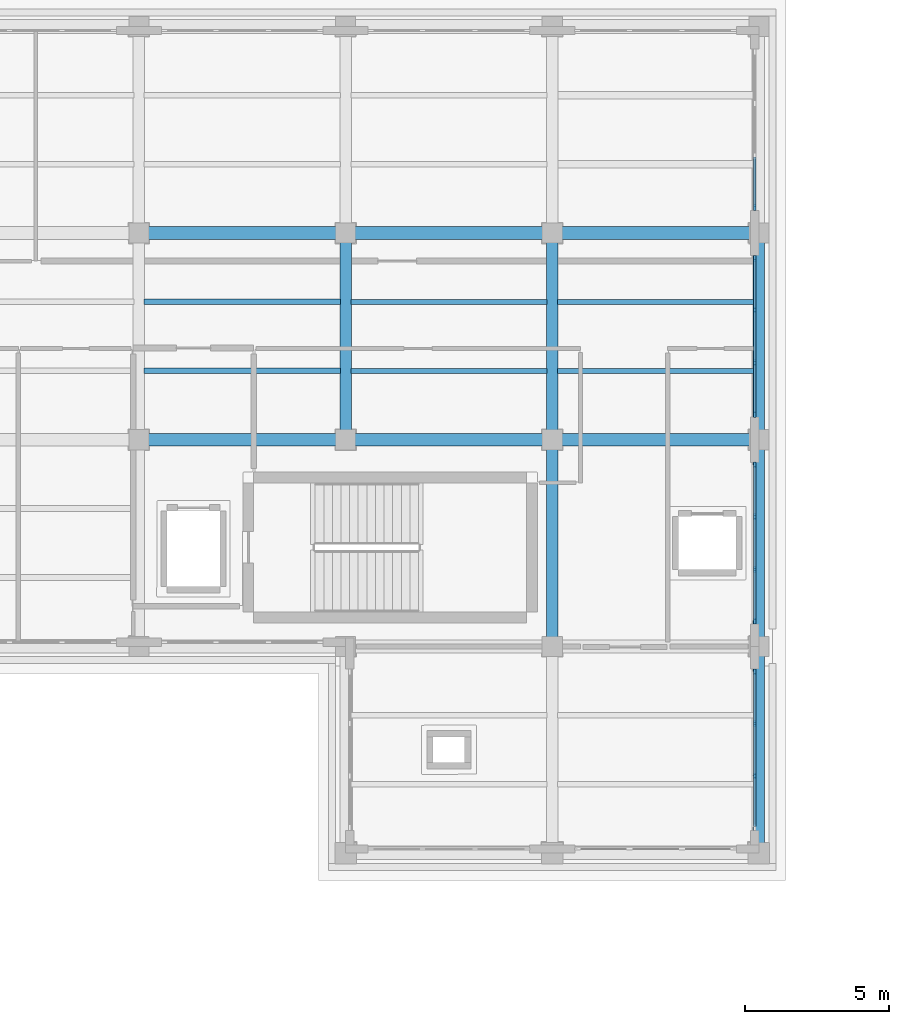
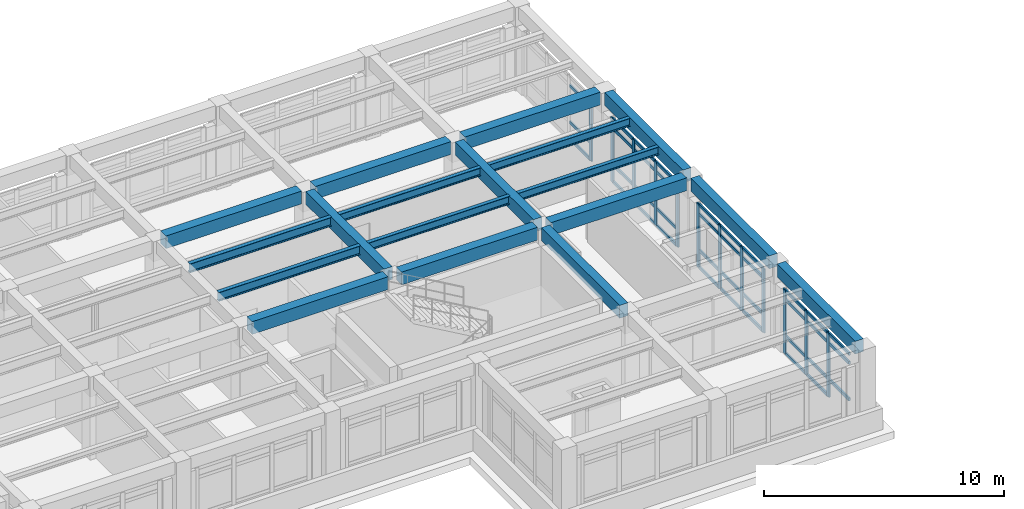
# One storey, part 27 of 64: 50 members, 18 beams, 4 elements without a shape of their own.
"""IFC4 building model written with IfcOpenShell, lengths in metres."""

from ifc_helpers import new_model, si_unit, direction, frame, origin, origin_2d, place, context, subcontext, project, spatial, rectangle, i_section, extrude, material, layer, layer_set, material_profile, profile_set, type_object, element, aggregate, save


model = new_model("IFC4")

# Units and contexts
model_context = context("Model", 3, precision=1e-05, world=origin(), true_north=direction((0.0, 1.0)))
body_context = subcontext(model_context, "Body", "Model", "MODEL_VIEW")
ifc_project = project(units=[si_unit("LENGTHUNIT", "METRE"), si_unit("AREAUNIT", "SQUARE_METRE"), si_unit("VOLUMEUNIT", "CUBIC_METRE"), si_unit("PLANEANGLEUNIT", "RADIAN"), si_unit("MASSUNIT", "GRAM", prefix="KILO")], contexts=[model_context])

# Site, building, storey
site_placement = place(None, origin())
site = spatial("IfcSite", under=ifc_project, at=site_placement, CompositionType="ELEMENT")
building_placement = place(site_placement, origin())
building = spatial("IfcBuilding", under=site, at=building_placement, Name="Solenvale Faculty of Natural Sciences", CompositionType="ELEMENT")
storey_placement = place(building_placement, frame((0.0, 0.0, 18.0)))
storey = spatial("IfcBuildingStorey", under=building, at=storey_placement, Name="L04", CompositionType="ELEMENT", Elevation=18.0)

# Beams
ifc_material_1 = material(Name="Concrete 40 MPa", Category="concrete")
ifc_material_profile_1 = material_profile(ifc_material_1, rectangle(XDim=0.39990234375, YDim=0.64990234375, at=origin_2d()), Name="RC-BM-400x650")
ifc_profile_set_1 = profile_set([ifc_material_profile_1], Name="Concrete 40 MPa")
beam_type_1 = type_object("IfcBeamType", Name="BM-RC-400x650", PredefinedType="BEAM", material=ifc_profile_set_1)
for number, where, z_axis, x_axis, name in (
    (1, (136.800048828125, 101.1298828125, 3.89501953125), (0.0, 1.0, 0.0), (-1.0, 0.0, 0.0), "L04 Y-Girder X136.8 (100.8..108.0)"),
    (2, (144.0, 93.929931640625, 3.89501953125), (0.0, 1.0, 0.0), (-1.0, 0.0, 0.0), "L04 Y-Girder X144.0 (93.6..100.8)"),
    (3, (144.0, 101.1298828125, 3.89501953125), (0.0, 1.0, 0.0), (-1.0, 0.0, 0.0), "L04 Y-Girder X144.0 (100.8..108.0)"),
):
    element("IfcBeam", number, at=place(storey_placement, frame(where, z_axis=z_axis, x_axis=x_axis)), inside=storey, type_object=beam_type_1, Name=name, PredefinedType="BEAM", context=body_context, shape_type="SweptSolid", body=[
        extrude(rectangle(XDim=0.39990234375, YDim=0.64990234375, at=origin_2d()), origin(), (0.0, 0.0, 1.0), 6.5400390625),
    ])
beam_placement = place(storey_placement, frame((151.199951171875, 86.7548828125, 3.89501953125), z_axis=(0.0, 1.0, 0.0), x_axis=(-1.0, 0.0, 0.0)))
element("IfcBeam", 4, at=beam_placement, inside=storey, type_object=beam_type_1, Name="L04 Y-Girder X151.2 (86.4..93.6)", PredefinedType="BEAM", context=body_context, shape_type="SweptSolid", body=[
    extrude(rectangle(XDim=0.39990234375, YDim=0.64990234375, at=origin_2d()), origin(), (0.0, 0.0, 1.0), 6.51513671875),
])
for number, where, z_axis, x_axis, name in (
    (5, (151.199951171875, 93.929931640625, 3.89501953125), (0.0, 1.0, 0.0), (-1.0, 0.0, 0.0), "L04 Y-Girder X151.2 (93.6..100.8)"),
    (6, (151.199951171875, 101.1298828125, 3.89501953125), (0.0, 1.0, 0.0), (-1.0, 0.0, 0.0), "L04 Y-Girder X151.2 (100.8..108.0)"),
):
    element("IfcBeam", number, at=place(storey_placement, frame(where, z_axis=z_axis, x_axis=x_axis)), inside=storey, type_object=beam_type_1, Name=name, PredefinedType="BEAM", context=body_context, shape_type="SweptSolid", body=[
        extrude(rectangle(XDim=0.39990234375, YDim=0.64990234375, at=origin_2d()), origin(), (0.0, 0.0, 1.0), 6.5400390625),
    ])
ifc_material_profile_2 = material_profile(ifc_material_1, rectangle(XDim=0.449951171875, YDim=0.64990234375, at=origin_2d()), Name="RC-BM-450x650")
ifc_profile_set_2 = profile_set([ifc_material_profile_2], Name="Concrete 40 MPa")
beam_type_2 = type_object("IfcBeamType", Name="BM-RC-450x650", PredefinedType="BEAM", material=ifc_profile_set_2)
for number, where, z_axis, x_axis, name in (
    (7, (129.929931640625, 100.800048828125, 3.89501953125), (1.0, 0.0, 0.0), (0.0, 1.0, 0.0), "L04 X-Girder Y100.8 (129.6..136.8)"),
    (8, (137.1298828125, 100.800048828125, 3.89501953125), (1.0, 0.0, 0.0), (0.0, 1.0, 0.0), "L04 X-Girder Y100.8 (136.8..144.0)"),
    (9, (144.330078125, 100.800048828125, 3.89501953125), (1.0, 0.0, 0.0), (0.0, 1.0, 0.0), "L04 X-Girder Y100.8 (144.0..151.2)"),
    (10, (129.929931640625, 108.0, 3.89501953125), (1.0, 0.0, 0.0), (0.0, 1.0, 0.0), "L04 X-Girder Y108.0 (129.6..136.8)"),
    (11, (137.1298828125, 108.0, 3.89501953125), (1.0, 0.0, 0.0), (0.0, 1.0, 0.0), "L04 X-Girder Y108.0 (136.8..144.0)"),
    (12, (144.330078125, 108.0, 3.89501953125), (1.0, 0.0, 0.0), (0.0, 1.0, 0.0), "L04 X-Girder Y108.0 (144.0..151.2)"),
):
    element("IfcBeam", number, at=place(storey_placement, frame(where, z_axis=z_axis, x_axis=x_axis)), inside=storey, type_object=beam_type_2, Name=name, PredefinedType="BEAM", context=body_context, shape_type="SweptSolid", body=[
        extrude(rectangle(XDim=0.449951171875, YDim=0.64990234375, at=origin_2d()), origin(), (0.0, 0.0, 1.0), 6.5400390625),
    ])
ifc_material_2 = material(Name="Steel S355", Category="steel")
ifc_material_profile_3 = material_profile(ifc_material_2, i_section(OverallWidth=0.178955078125, OverallDepth=0.409912109375, WebThickness=0.0087890625, FlangeThickness=0.014404296875, FilletRadius=0.01611328125, at=origin_2d()), Name="W410x67")
ifc_profile_set_3 = profile_set([ifc_material_profile_3], Name="Steel S355")
beam_type_3 = type_object("IfcBeamType", Name="BM-STL-W410x67", PredefinedType="JOIST", material=ifc_profile_set_3)
for number, where, z_axis, x_axis, name in (
    (13, (144.179931640625, 103.199951171875, 4.014892578125), (1.0, 0.0, 0.0), (0.0, 1.0, 0.0), "L04 Composite Floor Joist (21,15).1"),
    (14, (144.179931640625, 105.60009765625, 4.014892578125), (1.0, 0.0, 0.0), (0.0, 1.0, 0.0), "L04 Composite Floor Joist (21,15).2"),
):
    element("IfcBeam", number, at=place(storey_placement, frame(where, z_axis=z_axis, x_axis=x_axis)), inside=storey, type_object=beam_type_3, Name=name, PredefinedType="JOIST", context=body_context, shape_type="SweptSolid", body=[
        extrude(i_section(OverallWidth=0.178955078125, OverallDepth=0.409912109375, WebThickness=0.0087890625, FlangeThickness=0.014404296875, FilletRadius=0.01611328125, at=origin_2d()), origin(), (0.0, 0.0, 1.0), 6.840087890625),
    ])
ifc_material_profile_4 = material_profile(ifc_material_2, i_section(OverallWidth=0.180908203125, OverallDepth=0.4169921875, WebThickness=0.010986328125, FlangeThickness=0.018310546875, FilletRadius=0.01611328125, at=origin_2d()), Name="W410x85")
ifc_profile_set_4 = profile_set([ifc_material_profile_4], Name="Steel S355")
beam_type_4 = type_object("IfcBeamType", Name="BM-STL-W410x85", PredefinedType="JOIST", material=ifc_profile_set_4)
for number, where, z_axis, x_axis, name in (
    (15, (136.97998046875, 103.199951171875, 4.011474609375), (1.0, 0.0, 0.0), (0.0, 1.0, 0.0), "L04 Composite Floor Joist (20,15).1"),
    (16, (136.97998046875, 105.60009765625, 4.011474609375), (1.0, 0.0, 0.0), (0.0, 1.0, 0.0), "L04 Composite Floor Joist (20,15).2"),
):
    element("IfcBeam", number, at=place(storey_placement, frame(where, z_axis=z_axis, x_axis=x_axis)), inside=storey, type_object=beam_type_4, Name=name, PredefinedType="JOIST", context=body_context, shape_type="SweptSolid", body=[
        extrude(i_section(OverallWidth=0.180908203125, OverallDepth=0.4169921875, WebThickness=0.010986328125, FlangeThickness=0.018310546875, FilletRadius=0.01611328125, at=origin_2d()), origin(), (0.0, 0.0, 1.0), 6.840087890625),
    ])
ifc_material_profile_5 = material_profile(ifc_material_2, i_section(OverallWidth=0.19091796875, OverallDepth=0.4599609375, WebThickness=0.010009765625, FlangeThickness=0.01611328125, FilletRadius=0.01806640625, at=origin_2d()), Name="W460x82")
ifc_profile_set_5 = profile_set([ifc_material_profile_5], Name="Steel S355")
beam_type_5 = type_object("IfcBeamType", Name="BM-STL-W460x82", PredefinedType="JOIST", material=ifc_profile_set_5)
for number, where, z_axis, x_axis, name in (
    (17, (129.780029296875, 103.199951171875, 3.989990234375), (1.0, 0.0, 0.0), (0.0, 1.0, 0.0), "L04 Composite Floor Joist (19,15).1"),
    (18, (129.780029296875, 105.60009765625, 3.989990234375), (1.0, 0.0, 0.0), (0.0, 1.0, 0.0), "L04 Composite Floor Joist (19,15).2"),
):
    element("IfcBeam", number, at=place(storey_placement, frame(where, z_axis=z_axis, x_axis=x_axis)), inside=storey, type_object=beam_type_5, Name=name, PredefinedType="JOIST", context=body_context, shape_type="SweptSolid", body=[
        extrude(i_section(OverallWidth=0.19091796875, OverallDepth=0.4599609375, WebThickness=0.010009765625, FlangeThickness=0.01611328125, FilletRadius=0.01806640625, at=origin_2d()), origin(), (0.0, 0.0, 1.0), 6.840087890625),
    ])

# Curtain wall, members
ifc_material_3 = material(Name="Anodised bronze aluminium", Category="aluminium")
ifc_layer = layer(ifc_material_3, 0.179931640625)
ifc_layer_set = layer_set([ifc_layer], Name="Anodised bronze aluminium")
curtain_wall_type = type_object("IfcCurtainWallType", Name="CW-TWR-MOD", PredefinedType="USERDEFINED", material=ifc_layer_set)
curtain_wall_1_placement = place(storey_placement, origin())
curtain_wall_1 = element("IfcCurtainWall", 19, at=curtain_wall_1_placement, inside=storey, type_object=curtain_wall_type, Name="L04 Curtain Wall CW-L04-P3-E2-B1", ObjectType="UNITISED CURTAIN WALL", PredefinedType="USERDEFINED")
ifc_material_profile_6 = material_profile(ifc_material_3, rectangle(XDim=0.074951171875, YDim=0.2099609375, at=origin_2d()), Name="ALU-MUL-75x210")
ifc_profile_set_6 = profile_set([ifc_material_profile_6], Name="Anodised bronze aluminium")
member_type_1 = type_object("IfcMemberType", Name="CWM-ALU-75x210", PredefinedType="MULLION", material=ifc_profile_set_6)
member_1_placement = place(storey_placement, frame((151.0576171875, 89.083251953125, 0.0), z_axis=(0.0, 0.0, 1.0), x_axis=(-1.0, 0.0, 0.0)))
member_1 = element("IfcMember", 20, at=member_1_placement, type_object=member_type_1, Name="CW-04 mullion 2", PredefinedType="MULLION", context=body_context, shape_type="SweptSolid", body=[
    extrude(rectangle(XDim=0.074951171875, YDim=0.2099609375, at=origin_2d()), origin(), (0.0, 0.0, 1.0), 3.260009765625),
])
member_2_placement = place(storey_placement, frame((151.0576171875, 90.916748046875, 0.0), z_axis=(0.0, 0.0, 1.0), x_axis=(-1.0, 0.0, 0.0)))
member_2 = element("IfcMember", 21, at=member_2_placement, type_object=member_type_1, Name="CW-04 mullion 3", PredefinedType="MULLION", context=body_context, shape_type="SweptSolid", body=[
    extrude(rectangle(XDim=0.074951171875, YDim=0.2099609375, at=origin_2d()), origin(), (0.0, 0.0, 1.0), 3.260009765625),
])
member_3_placement = place(storey_placement, frame((151.0576171875, 92.71240234375, 0.0), z_axis=(0.0, 0.0, 1.0), x_axis=(-1.0, 0.0, 0.0)))
member_3 = element("IfcMember", 22, at=member_3_placement, type_object=member_type_1, Name="CW-04 mullion 4", PredefinedType="MULLION", context=body_context, shape_type="SweptSolid", body=[
    extrude(rectangle(XDim=0.074951171875, YDim=0.2099609375, at=origin_2d()), origin(), (0.0, 0.0, 1.0), 3.260009765625),
])

curtain_wall_2_placement = place(storey_placement, origin())
curtain_wall_2 = element("IfcCurtainWall", 23, at=curtain_wall_2_placement, inside=storey, type_object=curtain_wall_type, Name="L04 Curtain Wall CW-L04-P3-E3-B1", ObjectType="UNITISED CURTAIN WALL", PredefinedType="USERDEFINED")
member_4_placement = place(storey_placement, frame((151.0576171875, 94.487548828125, 0.0), z_axis=(0.0, 0.0, 1.0), x_axis=(-1.0, 0.0, 0.0)))
member_4 = element("IfcMember", 24, at=member_4_placement, type_object=member_type_1, Name="CW-04 mullion 1", PredefinedType="MULLION", context=body_context, shape_type="SweptSolid", body=[
    extrude(rectangle(XDim=0.074951171875, YDim=0.2099609375, at=origin_2d()), origin(), (0.0, 0.0, 1.0), 3.260009765625),
])
member_5_placement = place(storey_placement, frame((151.0576171875, 96.283447265625, 0.0), z_axis=(0.0, 0.0, 1.0), x_axis=(-1.0, 0.0, 0.0)))
member_5 = element("IfcMember", 25, at=member_5_placement, type_object=member_type_1, Name="CW-04 mullion 2", PredefinedType="MULLION", context=body_context, shape_type="SweptSolid", body=[
    extrude(rectangle(XDim=0.074951171875, YDim=0.2099609375, at=origin_2d()), origin(), (0.0, 0.0, 1.0), 3.260009765625),
])
member_6_placement = place(storey_placement, frame((151.0576171875, 98.11669921875, 0.0), z_axis=(0.0, 0.0, 1.0), x_axis=(-1.0, 0.0, 0.0)))
member_6 = element("IfcMember", 26, at=member_6_placement, type_object=member_type_1, Name="CW-04 mullion 3", PredefinedType="MULLION", context=body_context, shape_type="SweptSolid", body=[
    extrude(rectangle(XDim=0.074951171875, YDim=0.2099609375, at=origin_2d()), origin(), (0.0, 0.0, 1.0), 3.260009765625),
])
member_7_placement = place(storey_placement, frame((151.0576171875, 99.91259765625, 0.0), z_axis=(0.0, 0.0, 1.0), x_axis=(-1.0, 0.0, 0.0)))
member_7 = element("IfcMember", 27, at=member_7_placement, type_object=member_type_1, Name="CW-04 mullion 4", PredefinedType="MULLION", context=body_context, shape_type="SweptSolid", body=[
    extrude(rectangle(XDim=0.074951171875, YDim=0.2099609375, at=origin_2d()), origin(), (0.0, 0.0, 1.0), 3.260009765625),
])

curtain_wall_3_placement = place(storey_placement, origin())
curtain_wall_3 = element("IfcCurtainWall", 28, at=curtain_wall_3_placement, inside=storey, type_object=curtain_wall_type, Name="L04 Curtain Wall CW-L04-P3-E3-B2", ObjectType="UNITISED CURTAIN WALL", PredefinedType="USERDEFINED")
member_8_placement = place(storey_placement, frame((151.0576171875, 101.6875, 0.0), z_axis=(0.0, 0.0, 1.0), x_axis=(-1.0, 0.0, 0.0)))
member_8 = element("IfcMember", 29, at=member_8_placement, type_object=member_type_1, Name="CW-04 mullion 1", PredefinedType="MULLION", context=body_context, shape_type="SweptSolid", body=[
    extrude(rectangle(XDim=0.074951171875, YDim=0.2099609375, at=origin_2d()), origin(), (0.0, 0.0, 1.0), 3.260009765625),
])
member_9_placement = place(storey_placement, frame((151.0576171875, 103.4833984375, 0.0), z_axis=(0.0, 0.0, 1.0), x_axis=(-1.0, 0.0, 0.0)))
member_9 = element("IfcMember", 30, at=member_9_placement, type_object=member_type_1, Name="CW-04 mullion 2", PredefinedType="MULLION", context=body_context, shape_type="SweptSolid", body=[
    extrude(rectangle(XDim=0.074951171875, YDim=0.2099609375, at=origin_2d()), origin(), (0.0, 0.0, 1.0), 3.260009765625),
])
member_10_placement = place(storey_placement, frame((151.0576171875, 105.316650390625, 0.0), z_axis=(0.0, 0.0, 1.0), x_axis=(-1.0, 0.0, 0.0)))
member_10 = element("IfcMember", 31, at=member_10_placement, type_object=member_type_1, Name="CW-04 mullion 3", PredefinedType="MULLION", context=body_context, shape_type="SweptSolid", body=[
    extrude(rectangle(XDim=0.074951171875, YDim=0.2099609375, at=origin_2d()), origin(), (0.0, 0.0, 1.0), 3.260009765625),
])
member_11_placement = place(storey_placement, frame((151.0576171875, 107.112548828125, 0.0), z_axis=(0.0, 0.0, 1.0), x_axis=(-1.0, 0.0, 0.0)))
member_11 = element("IfcMember", 32, at=member_11_placement, type_object=member_type_1, Name="CW-04 mullion 4", PredefinedType="MULLION", context=body_context, shape_type="SweptSolid", body=[
    extrude(rectangle(XDim=0.074951171875, YDim=0.2099609375, at=origin_2d()), origin(), (0.0, 0.0, 1.0), 3.260009765625),
])

# Curtain wall, member
curtain_wall_4_placement = place(storey_placement, origin())
curtain_wall_4 = element("IfcCurtainWall", 33, at=curtain_wall_4_placement, inside=storey, type_object=curtain_wall_type, Name="L04 Curtain Wall CW-L04-P3-E3-B3", ObjectType="UNITISED CURTAIN WALL", PredefinedType="USERDEFINED")
member_12_placement = place(storey_placement, frame((151.0576171875, 108.887451171875, 0.0), z_axis=(0.0, 0.0, 1.0), x_axis=(-1.0, 0.0, 0.0)))
member_12 = element("IfcMember", 34, at=member_12_placement, type_object=member_type_1, Name="CW-04 mullion 1", PredefinedType="MULLION", context=body_context, shape_type="SweptSolid", body=[
    extrude(rectangle(XDim=0.074951171875, YDim=0.2099609375, at=origin_2d()), origin(), (0.0, 0.0, 1.0), 3.260009765625),
])

# Member
ifc_material_profile_7 = material_profile(ifc_material_3, rectangle(XDim=0.074951171875, YDim=0.155029296875, at=origin_2d()), Name="ALU-TRN-75x155")
ifc_profile_set_7 = profile_set([ifc_material_profile_7], Name="Anodised bronze aluminium")
member_type_2 = type_object("IfcMemberType", Name="CWT-ALU-75x155", PredefinedType="USERDEFINED", material=ifc_profile_set_7)
member_13_placement = place(storey_placement, frame((151.0576171875, 87.324951171875, 0.89990234375), z_axis=(0.0, 1.0, 0.0), x_axis=(-1.0, 0.0, 0.0)))
member_13 = element("IfcMember", 35, at=member_13_placement, type_object=member_type_2, Name="CW-04 transom 1.2", ObjectType="TRANSOM", PredefinedType="USERDEFINED", context=body_context, shape_type="SweptSolid", body=[
    extrude(rectangle(XDim=0.074951171875, YDim=0.155029296875, at=origin_2d()), origin(), (0.0, 0.0, 1.0), 1.720947265625),
])

member_14_placement = place(storey_placement, frame((151.0576171875, 87.324951171875, 2.760009765625), z_axis=(0.0, 1.0, 0.0), x_axis=(-1.0, 0.0, 0.0)))
member_14 = element("IfcMember", 36, at=member_14_placement, type_object=member_type_2, Name="CW-04 transom 1.3", ObjectType="TRANSOM", PredefinedType="USERDEFINED", context=body_context, shape_type="SweptSolid", body=[
    extrude(rectangle(XDim=0.074951171875, YDim=0.155029296875, at=origin_2d()), origin(), (0.0, 0.0, 1.0), 1.720947265625),
])

member_15_placement = place(storey_placement, frame((151.0576171875, 87.324951171875, 3.222412109375), z_axis=(0.0, 1.0, 0.0), x_axis=(-1.0, 0.0, 0.0)))
member_15 = element("IfcMember", 37, at=member_15_placement, type_object=member_type_2, Name="CW-04 transom 1.4", ObjectType="TRANSOM", PredefinedType="USERDEFINED", context=body_context, shape_type="SweptSolid", body=[
    extrude(rectangle(XDim=0.074951171875, YDim=0.155029296875, at=origin_2d()), origin(), (0.0, 0.0, 1.0), 1.720947265625),
])

member_16_placement = place(storey_placement, frame((151.0576171875, 89.120849609375, 0.03759765625), z_axis=(0.0, 1.0, 0.0), x_axis=(-1.0, 0.0, 0.0)))
member_16 = element("IfcMember", 38, at=member_16_placement, type_object=member_type_2, Name="CW-04 transom 2.1", ObjectType="TRANSOM", PredefinedType="USERDEFINED", context=body_context, shape_type="SweptSolid", body=[
    extrude(rectangle(XDim=0.074951171875, YDim=0.155029296875, at=origin_2d()), origin(), (0.0, 0.0, 1.0), 1.75830078125),
])

member_17_placement = place(storey_placement, frame((151.0576171875, 89.120849609375, 0.89990234375), z_axis=(0.0, 1.0, 0.0), x_axis=(-1.0, 0.0, 0.0)))
member_17 = element("IfcMember", 39, at=member_17_placement, type_object=member_type_2, Name="CW-04 transom 2.2", ObjectType="TRANSOM", PredefinedType="USERDEFINED", context=body_context, shape_type="SweptSolid", body=[
    extrude(rectangle(XDim=0.074951171875, YDim=0.155029296875, at=origin_2d()), origin(), (0.0, 0.0, 1.0), 1.75830078125),
])

member_18_placement = place(storey_placement, frame((151.0576171875, 89.120849609375, 2.760009765625), z_axis=(0.0, 1.0, 0.0), x_axis=(-1.0, 0.0, 0.0)))
member_18 = element("IfcMember", 40, at=member_18_placement, type_object=member_type_2, Name="CW-04 transom 2.3", ObjectType="TRANSOM", PredefinedType="USERDEFINED", context=body_context, shape_type="SweptSolid", body=[
    extrude(rectangle(XDim=0.074951171875, YDim=0.155029296875, at=origin_2d()), origin(), (0.0, 0.0, 1.0), 1.75830078125),
])

member_19_placement = place(storey_placement, frame((151.0576171875, 89.120849609375, 3.222412109375), z_axis=(0.0, 1.0, 0.0), x_axis=(-1.0, 0.0, 0.0)))
member_19 = element("IfcMember", 41, at=member_19_placement, type_object=member_type_2, Name="CW-04 transom 2.4", ObjectType="TRANSOM", PredefinedType="USERDEFINED", context=body_context, shape_type="SweptSolid", body=[
    extrude(rectangle(XDim=0.074951171875, YDim=0.155029296875, at=origin_2d()), origin(), (0.0, 0.0, 1.0), 1.75830078125),
])

member_20_placement = place(storey_placement, frame((151.0576171875, 90.9541015625, 0.03759765625), z_axis=(0.0, 1.0, 0.0), x_axis=(-1.0, 0.0, 0.0)))
member_20 = element("IfcMember", 42, at=member_20_placement, type_object=member_type_2, Name="CW-04 transom 3.1", ObjectType="TRANSOM", PredefinedType="USERDEFINED", context=body_context, shape_type="SweptSolid", body=[
    extrude(rectangle(XDim=0.074951171875, YDim=0.155029296875, at=origin_2d()), origin(), (0.0, 0.0, 1.0), 1.720947265625),
])

member_21_placement = place(storey_placement, frame((151.0576171875, 90.9541015625, 0.89990234375), z_axis=(0.0, 1.0, 0.0), x_axis=(-1.0, 0.0, 0.0)))
member_21 = element("IfcMember", 43, at=member_21_placement, type_object=member_type_2, Name="CW-04 transom 3.2", ObjectType="TRANSOM", PredefinedType="USERDEFINED", context=body_context, shape_type="SweptSolid", body=[
    extrude(rectangle(XDim=0.074951171875, YDim=0.155029296875, at=origin_2d()), origin(), (0.0, 0.0, 1.0), 1.720947265625),
])

member_22_placement = place(storey_placement, frame((151.0576171875, 90.9541015625, 2.760009765625), z_axis=(0.0, 1.0, 0.0), x_axis=(-1.0, 0.0, 0.0)))
member_22 = element("IfcMember", 44, at=member_22_placement, type_object=member_type_2, Name="CW-04 transom 3.3", ObjectType="TRANSOM", PredefinedType="USERDEFINED", context=body_context, shape_type="SweptSolid", body=[
    extrude(rectangle(XDim=0.074951171875, YDim=0.155029296875, at=origin_2d()), origin(), (0.0, 0.0, 1.0), 1.720947265625),
])

member_23_placement = place(storey_placement, frame((151.0576171875, 90.9541015625, 3.222412109375), z_axis=(0.0, 1.0, 0.0), x_axis=(-1.0, 0.0, 0.0)))
member_23 = element("IfcMember", 45, at=member_23_placement, type_object=member_type_2, Name="CW-04 transom 3.4", ObjectType="TRANSOM", PredefinedType="USERDEFINED", context=body_context, shape_type="SweptSolid", body=[
    extrude(rectangle(XDim=0.074951171875, YDim=0.155029296875, at=origin_2d()), origin(), (0.0, 0.0, 1.0), 1.720947265625),
])

aggregate(curtain_wall_1, [member_1, member_2, member_3, member_13, member_14, member_15, member_16, member_17, member_18, member_19, member_20, member_21, member_22, member_23])

member_24_placement = place(storey_placement, frame((151.0576171875, 94.52490234375, 0.03759765625), z_axis=(0.0, 1.0, 0.0), x_axis=(-1.0, 0.0, 0.0)))
member_24 = element("IfcMember", 46, at=member_24_placement, type_object=member_type_2, Name="CW-04 transom 1.1", ObjectType="TRANSOM", PredefinedType="USERDEFINED", context=body_context, shape_type="SweptSolid", body=[
    extrude(rectangle(XDim=0.074951171875, YDim=0.155029296875, at=origin_2d()), origin(), (0.0, 0.0, 1.0), 1.720947265625),
])

member_25_placement = place(storey_placement, frame((151.0576171875, 94.52490234375, 0.89990234375), z_axis=(0.0, 1.0, 0.0), x_axis=(-1.0, 0.0, 0.0)))
member_25 = element("IfcMember", 47, at=member_25_placement, type_object=member_type_2, Name="CW-04 transom 1.2", ObjectType="TRANSOM", PredefinedType="USERDEFINED", context=body_context, shape_type="SweptSolid", body=[
    extrude(rectangle(XDim=0.074951171875, YDim=0.155029296875, at=origin_2d()), origin(), (0.0, 0.0, 1.0), 1.720947265625),
])

member_26_placement = place(storey_placement, frame((151.0576171875, 94.52490234375, 2.760009765625), z_axis=(0.0, 1.0, 0.0), x_axis=(-1.0, 0.0, 0.0)))
member_26 = element("IfcMember", 48, at=member_26_placement, type_object=member_type_2, Name="CW-04 transom 1.3", ObjectType="TRANSOM", PredefinedType="USERDEFINED", context=body_context, shape_type="SweptSolid", body=[
    extrude(rectangle(XDim=0.074951171875, YDim=0.155029296875, at=origin_2d()), origin(), (0.0, 0.0, 1.0), 1.720947265625),
])

member_27_placement = place(storey_placement, frame((151.0576171875, 94.52490234375, 3.222412109375), z_axis=(0.0, 1.0, 0.0), x_axis=(-1.0, 0.0, 0.0)))
member_27 = element("IfcMember", 49, at=member_27_placement, type_object=member_type_2, Name="CW-04 transom 1.4", ObjectType="TRANSOM", PredefinedType="USERDEFINED", context=body_context, shape_type="SweptSolid", body=[
    extrude(rectangle(XDim=0.074951171875, YDim=0.155029296875, at=origin_2d()), origin(), (0.0, 0.0, 1.0), 1.720947265625),
])

member_28_placement = place(storey_placement, frame((151.0576171875, 96.32080078125, 0.03759765625), z_axis=(0.0, 1.0, 0.0), x_axis=(-1.0, 0.0, 0.0)))
member_28 = element("IfcMember", 50, at=member_28_placement, type_object=member_type_2, Name="CW-04 transom 2.1", ObjectType="TRANSOM", PredefinedType="USERDEFINED", context=body_context, shape_type="SweptSolid", body=[
    extrude(rectangle(XDim=0.074951171875, YDim=0.155029296875, at=origin_2d()), origin(), (0.0, 0.0, 1.0), 1.75830078125),
])

member_29_placement = place(storey_placement, frame((151.0576171875, 96.32080078125, 0.89990234375), z_axis=(0.0, 1.0, 0.0), x_axis=(-1.0, 0.0, 0.0)))
member_29 = element("IfcMember", 51, at=member_29_placement, type_object=member_type_2, Name="CW-04 transom 2.2", ObjectType="TRANSOM", PredefinedType="USERDEFINED", context=body_context, shape_type="SweptSolid", body=[
    extrude(rectangle(XDim=0.074951171875, YDim=0.155029296875, at=origin_2d()), origin(), (0.0, 0.0, 1.0), 1.75830078125),
])

member_30_placement = place(storey_placement, frame((151.0576171875, 96.32080078125, 2.760009765625), z_axis=(0.0, 1.0, 0.0), x_axis=(-1.0, 0.0, 0.0)))
member_30 = element("IfcMember", 52, at=member_30_placement, type_object=member_type_2, Name="CW-04 transom 2.3", ObjectType="TRANSOM", PredefinedType="USERDEFINED", context=body_context, shape_type="SweptSolid", body=[
    extrude(rectangle(XDim=0.074951171875, YDim=0.155029296875, at=origin_2d()), origin(), (0.0, 0.0, 1.0), 1.75830078125),
])

member_31_placement = place(storey_placement, frame((151.0576171875, 96.32080078125, 3.222412109375), z_axis=(0.0, 1.0, 0.0), x_axis=(-1.0, 0.0, 0.0)))
member_31 = element("IfcMember", 53, at=member_31_placement, type_object=member_type_2, Name="CW-04 transom 2.4", ObjectType="TRANSOM", PredefinedType="USERDEFINED", context=body_context, shape_type="SweptSolid", body=[
    extrude(rectangle(XDim=0.074951171875, YDim=0.155029296875, at=origin_2d()), origin(), (0.0, 0.0, 1.0), 1.75830078125),
])

member_32_placement = place(storey_placement, frame((151.0576171875, 98.154052734375, 0.03759765625), z_axis=(0.0, 1.0, 0.0), x_axis=(-1.0, 0.0, 0.0)))
member_32 = element("IfcMember", 54, at=member_32_placement, type_object=member_type_2, Name="CW-04 transom 3.1", ObjectType="TRANSOM", PredefinedType="USERDEFINED", context=body_context, shape_type="SweptSolid", body=[
    extrude(rectangle(XDim=0.074951171875, YDim=0.155029296875, at=origin_2d()), origin(), (0.0, 0.0, 1.0), 1.720947265625),
])

member_33_placement = place(storey_placement, frame((151.0576171875, 98.154052734375, 0.89990234375), z_axis=(0.0, 1.0, 0.0), x_axis=(-1.0, 0.0, 0.0)))
member_33 = element("IfcMember", 55, at=member_33_placement, type_object=member_type_2, Name="CW-04 transom 3.2", ObjectType="TRANSOM", PredefinedType="USERDEFINED", context=body_context, shape_type="SweptSolid", body=[
    extrude(rectangle(XDim=0.074951171875, YDim=0.155029296875, at=origin_2d()), origin(), (0.0, 0.0, 1.0), 1.720947265625),
])

member_34_placement = place(storey_placement, frame((151.0576171875, 98.154052734375, 2.760009765625), z_axis=(0.0, 1.0, 0.0), x_axis=(-1.0, 0.0, 0.0)))
member_34 = element("IfcMember", 56, at=member_34_placement, type_object=member_type_2, Name="CW-04 transom 3.3", ObjectType="TRANSOM", PredefinedType="USERDEFINED", context=body_context, shape_type="SweptSolid", body=[
    extrude(rectangle(XDim=0.074951171875, YDim=0.155029296875, at=origin_2d()), origin(), (0.0, 0.0, 1.0), 1.720947265625),
])

member_35_placement = place(storey_placement, frame((151.0576171875, 98.154052734375, 3.222412109375), z_axis=(0.0, 1.0, 0.0), x_axis=(-1.0, 0.0, 0.0)))
member_35 = element("IfcMember", 57, at=member_35_placement, type_object=member_type_2, Name="CW-04 transom 3.4", ObjectType="TRANSOM", PredefinedType="USERDEFINED", context=body_context, shape_type="SweptSolid", body=[
    extrude(rectangle(XDim=0.074951171875, YDim=0.155029296875, at=origin_2d()), origin(), (0.0, 0.0, 1.0), 1.720947265625),
])

aggregate(curtain_wall_2, [member_4, member_5, member_6, member_7, member_24, member_25, member_26, member_27, member_28, member_29, member_30, member_31, member_32, member_33, member_34, member_35])

member_36_placement = place(storey_placement, frame((151.0576171875, 101.72509765625, 0.03759765625), z_axis=(0.0, 1.0, 0.0), x_axis=(-1.0, 0.0, 0.0)))
member_36 = element("IfcMember", 58, at=member_36_placement, type_object=member_type_2, Name="CW-04 transom 1.1", ObjectType="TRANSOM", PredefinedType="USERDEFINED", context=body_context, shape_type="SweptSolid", body=[
    extrude(rectangle(XDim=0.074951171875, YDim=0.155029296875, at=origin_2d()), origin(), (0.0, 0.0, 1.0), 1.720703125),
])

member_37_placement = place(storey_placement, frame((151.0576171875, 101.72509765625, 0.89990234375), z_axis=(0.0, 1.0, 0.0), x_axis=(-1.0, 0.0, 0.0)))
member_37 = element("IfcMember", 59, at=member_37_placement, type_object=member_type_2, Name="CW-04 transom 1.2", ObjectType="TRANSOM", PredefinedType="USERDEFINED", context=body_context, shape_type="SweptSolid", body=[
    extrude(rectangle(XDim=0.074951171875, YDim=0.155029296875, at=origin_2d()), origin(), (0.0, 0.0, 1.0), 1.720703125),
])

member_38_placement = place(storey_placement, frame((151.0576171875, 101.72509765625, 2.760009765625), z_axis=(0.0, 1.0, 0.0), x_axis=(-1.0, 0.0, 0.0)))
member_38 = element("IfcMember", 60, at=member_38_placement, type_object=member_type_2, Name="CW-04 transom 1.3", ObjectType="TRANSOM", PredefinedType="USERDEFINED", context=body_context, shape_type="SweptSolid", body=[
    extrude(rectangle(XDim=0.074951171875, YDim=0.155029296875, at=origin_2d()), origin(), (0.0, 0.0, 1.0), 1.720703125),
])

member_39_placement = place(storey_placement, frame((151.0576171875, 101.72509765625, 3.222412109375), z_axis=(0.0, 1.0, 0.0), x_axis=(-1.0, 0.0, 0.0)))
member_39 = element("IfcMember", 61, at=member_39_placement, type_object=member_type_2, Name="CW-04 transom 1.4", ObjectType="TRANSOM", PredefinedType="USERDEFINED", context=body_context, shape_type="SweptSolid", body=[
    extrude(rectangle(XDim=0.074951171875, YDim=0.155029296875, at=origin_2d()), origin(), (0.0, 0.0, 1.0), 1.720703125),
])

member_40_placement = place(storey_placement, frame((151.0576171875, 103.520751953125, 0.03759765625), z_axis=(0.0, 1.0, 0.0), x_axis=(-1.0, 0.0, 0.0)))
member_40 = element("IfcMember", 62, at=member_40_placement, type_object=member_type_2, Name="CW-04 transom 2.1", ObjectType="TRANSOM", PredefinedType="USERDEFINED", context=body_context, shape_type="SweptSolid", body=[
    extrude(rectangle(XDim=0.074951171875, YDim=0.155029296875, at=origin_2d()), origin(), (0.0, 0.0, 1.0), 1.75830078125),
])

member_41_placement = place(storey_placement, frame((151.0576171875, 103.520751953125, 0.89990234375), z_axis=(0.0, 1.0, 0.0), x_axis=(-1.0, 0.0, 0.0)))
member_41 = element("IfcMember", 63, at=member_41_placement, type_object=member_type_2, Name="CW-04 transom 2.2", ObjectType="TRANSOM", PredefinedType="USERDEFINED", context=body_context, shape_type="SweptSolid", body=[
    extrude(rectangle(XDim=0.074951171875, YDim=0.155029296875, at=origin_2d()), origin(), (0.0, 0.0, 1.0), 1.75830078125),
])

member_42_placement = place(storey_placement, frame((151.0576171875, 103.520751953125, 2.760009765625), z_axis=(0.0, 1.0, 0.0), x_axis=(-1.0, 0.0, 0.0)))
member_42 = element("IfcMember", 64, at=member_42_placement, type_object=member_type_2, Name="CW-04 transom 2.3", ObjectType="TRANSOM", PredefinedType="USERDEFINED", context=body_context, shape_type="SweptSolid", body=[
    extrude(rectangle(XDim=0.074951171875, YDim=0.155029296875, at=origin_2d()), origin(), (0.0, 0.0, 1.0), 1.75830078125),
])

member_43_placement = place(storey_placement, frame((151.0576171875, 103.520751953125, 3.222412109375), z_axis=(0.0, 1.0, 0.0), x_axis=(-1.0, 0.0, 0.0)))
member_43 = element("IfcMember", 65, at=member_43_placement, type_object=member_type_2, Name="CW-04 transom 2.4", ObjectType="TRANSOM", PredefinedType="USERDEFINED", context=body_context, shape_type="SweptSolid", body=[
    extrude(rectangle(XDim=0.074951171875, YDim=0.155029296875, at=origin_2d()), origin(), (0.0, 0.0, 1.0), 1.75830078125),
])

member_44_placement = place(storey_placement, frame((151.0576171875, 105.354248046875, 0.03759765625), z_axis=(0.0, 1.0, 0.0), x_axis=(-1.0, 0.0, 0.0)))
member_44 = element("IfcMember", 66, at=member_44_placement, type_object=member_type_2, Name="CW-04 transom 3.1", ObjectType="TRANSOM", PredefinedType="USERDEFINED", context=body_context, shape_type="SweptSolid", body=[
    extrude(rectangle(XDim=0.074951171875, YDim=0.155029296875, at=origin_2d()), origin(), (0.0, 0.0, 1.0), 1.720703125),
])

member_45_placement = place(storey_placement, frame((151.0576171875, 105.354248046875, 0.89990234375), z_axis=(0.0, 1.0, 0.0), x_axis=(-1.0, 0.0, 0.0)))
member_45 = element("IfcMember", 67, at=member_45_placement, type_object=member_type_2, Name="CW-04 transom 3.2", ObjectType="TRANSOM", PredefinedType="USERDEFINED", context=body_context, shape_type="SweptSolid", body=[
    extrude(rectangle(XDim=0.074951171875, YDim=0.155029296875, at=origin_2d()), origin(), (0.0, 0.0, 1.0), 1.720703125),
])

member_46_placement = place(storey_placement, frame((151.0576171875, 105.354248046875, 2.760009765625), z_axis=(0.0, 1.0, 0.0), x_axis=(-1.0, 0.0, 0.0)))
member_46 = element("IfcMember", 68, at=member_46_placement, type_object=member_type_2, Name="CW-04 transom 3.3", ObjectType="TRANSOM", PredefinedType="USERDEFINED", context=body_context, shape_type="SweptSolid", body=[
    extrude(rectangle(XDim=0.074951171875, YDim=0.155029296875, at=origin_2d()), origin(), (0.0, 0.0, 1.0), 1.720703125),
])

member_47_placement = place(storey_placement, frame((151.0576171875, 105.354248046875, 3.222412109375), z_axis=(0.0, 1.0, 0.0), x_axis=(-1.0, 0.0, 0.0)))
member_47 = element("IfcMember", 69, at=member_47_placement, type_object=member_type_2, Name="CW-04 transom 3.4", ObjectType="TRANSOM", PredefinedType="USERDEFINED", context=body_context, shape_type="SweptSolid", body=[
    extrude(rectangle(XDim=0.074951171875, YDim=0.155029296875, at=origin_2d()), origin(), (0.0, 0.0, 1.0), 1.720703125),
])

aggregate(curtain_wall_3, [member_8, member_9, member_10, member_11, member_36, member_37, member_38, member_39, member_40, member_41, member_42, member_43, member_44, member_45, member_46, member_47])

member_48_placement = place(storey_placement, frame((151.0576171875, 108.925048828125, 0.03759765625), z_axis=(0.0, 1.0, 0.0), x_axis=(-1.0, 0.0, 0.0)))
member_48 = element("IfcMember", 70, at=member_48_placement, type_object=member_type_2, Name="CW-04 transom 1.1", ObjectType="TRANSOM", PredefinedType="USERDEFINED", context=body_context, shape_type="SweptSolid", body=[
    extrude(rectangle(XDim=0.074951171875, YDim=0.155029296875, at=origin_2d()), origin(), (0.0, 0.0, 1.0), 1.720703125),
])

member_49_placement = place(storey_placement, frame((151.0576171875, 108.925048828125, 0.89990234375), z_axis=(0.0, 1.0, 0.0), x_axis=(-1.0, 0.0, 0.0)))
member_49 = element("IfcMember", 71, at=member_49_placement, type_object=member_type_2, Name="CW-04 transom 1.2", ObjectType="TRANSOM", PredefinedType="USERDEFINED", context=body_context, shape_type="SweptSolid", body=[
    extrude(rectangle(XDim=0.074951171875, YDim=0.155029296875, at=origin_2d()), origin(), (0.0, 0.0, 1.0), 1.720703125),
])

member_50_placement = place(storey_placement, frame((151.0576171875, 108.925048828125, 2.760009765625), z_axis=(0.0, 1.0, 0.0), x_axis=(-1.0, 0.0, 0.0)))
member_50 = element("IfcMember", 72, at=member_50_placement, type_object=member_type_2, Name="CW-04 transom 1.3", ObjectType="TRANSOM", PredefinedType="USERDEFINED", context=body_context, shape_type="SweptSolid", body=[
    extrude(rectangle(XDim=0.074951171875, YDim=0.155029296875, at=origin_2d()), origin(), (0.0, 0.0, 1.0), 1.720703125),
])

aggregate(curtain_wall_4, [member_12, member_48, member_49, member_50])

save(model, "model.ifc")
